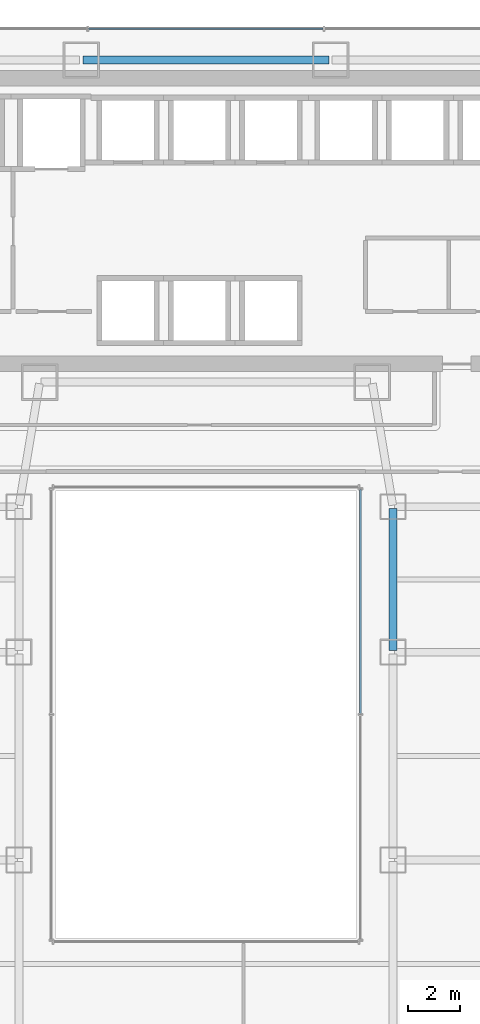
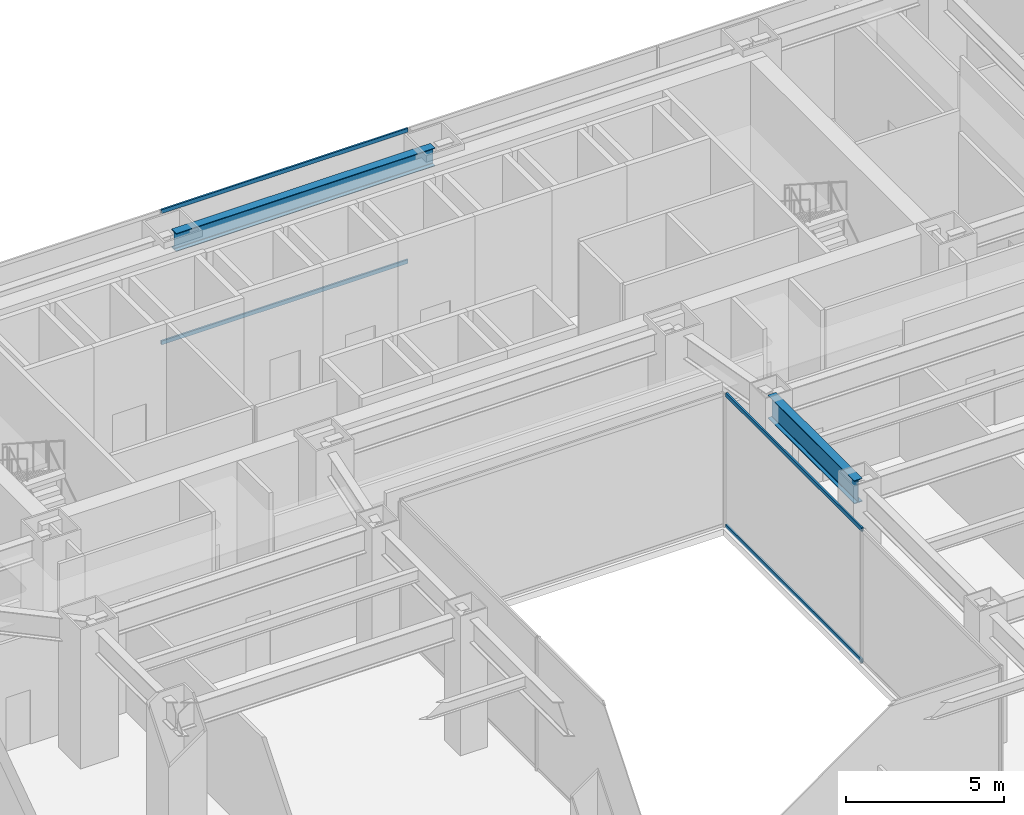
# One storey, part 15 of 29: 4 members, 2 beams, 2 elements without a shape of their own.
"""IFC4 building model written with IfcOpenShell, lengths in metres."""

from ifc_helpers import new_model, si_unit, direction, frame, origin, origin_2d, place, context, subcontext, project, spatial, hollow_rectangle, i_section, extrude, material, material_profile, profile_set, type_object, element, aggregate, save


model = new_model("IFC4")

# Units and contexts
model_context = context("Model", 3, precision=1e-05, world=origin(), true_north=direction((0.0, 1.0)))
body_context = subcontext(model_context, "Body", "Model", "MODEL_VIEW")
ifc_project = project(units=[si_unit("LENGTHUNIT", "METRE"), si_unit("AREAUNIT", "SQUARE_METRE"), si_unit("VOLUMEUNIT", "CUBIC_METRE"), si_unit("PLANEANGLEUNIT", "RADIAN"), si_unit("MASSUNIT", "GRAM", prefix="KILO")], contexts=[model_context])

# Site, building, storey
site_placement = place(None, origin())
site = spatial("IfcSite", under=ifc_project, at=site_placement, CompositionType="ELEMENT")
building_placement = place(site_placement, origin())
building = spatial("IfcBuilding", under=site, at=building_placement, Name="Saevonmaru Cultural Tower", CompositionType="ELEMENT")
storey_placement = place(building_placement, frame((0.0, 0.0, 27.60009765625)))
storey = spatial("IfcBuildingStorey", under=building, at=storey_placement, Name="L05", CompositionType="ELEMENT", Elevation=27.60009765625)

# Beams
ifc_material_1 = material(Name="Steel SM420", Category="steel")
ifc_material_profile_1 = material_profile(ifc_material_1, i_section(OverallWidth=0.300048828125, OverallDepth=0.89990234375, WebThickness=0.01611328125, FlangeThickness=0.028076171875, FilletRadius=0.028076171875, at=origin_2d()), Name="H-900x300x16x28")
ifc_profile_set_1 = profile_set([ifc_material_profile_1], Name="Steel SM420")
beam_type_1 = type_object("IfcBeamType", Name="BM-G-H900", PredefinedType="BEAM", material=ifc_profile_set_1)
beam_1_placement = place(storey_placement, frame((37.199951171875, 32.06005859375, 4.699951171875), z_axis=(0.0, 1.0, 0.0), x_axis=(-1.0, 0.0, 0.0)))
element("IfcBeam", 1, at=beam_1_placement, inside=storey, type_object=beam_type_1, Name="L05 Podium Girder NS3-5", PredefinedType="BEAM", context=body_context, shape_type="SweptSolid", body=[
    extrude(i_section(OverallWidth=0.300048828125, OverallDepth=0.89990234375, WebThickness=0.01611328125, FlangeThickness=0.028076171875, FilletRadius=0.028076171875, at=origin_2d()), origin(), (0.0, 0.0, 1.0), 5.47998046875),
])
ifc_material_2 = material(Name="Steel SM355", Category="steel")
ifc_material_profile_2 = material_profile(ifc_material_2, i_section(OverallWidth=0.300048828125, OverallDepth=0.699951171875, WebThickness=0.012939453125, FlangeThickness=0.02392578125, FilletRadius=0.02587890625, at=origin_2d()), Name="H-700x300x13x24")
ifc_profile_set_2 = profile_set([ifc_material_profile_2], Name="Steel SM355")
beam_type_2 = type_object("IfcBeamType", Name="BM-SP-H700", PredefinedType="SPANDREL", material=ifc_profile_set_2)
beam_2_placement = place(storey_placement, frame((25.260009765625, 54.800048828125, 4.7998046875), z_axis=(1.0, 0.0, 0.0), x_axis=(0.0, 1.0, 0.0)))
element("IfcBeam", 2, at=beam_2_placement, inside=storey, type_object=beam_type_2, Name="L05 North Spine Girder 3", PredefinedType="SPANDREL", context=body_context, shape_type="SweptSolid", body=[
    extrude(i_section(OverallWidth=0.300048828125, OverallDepth=0.699951171875, WebThickness=0.012939453125, FlangeThickness=0.02392578125, FilletRadius=0.02587890625, at=origin_2d()), origin(), (0.0, 0.0, 1.0), 9.47998046875),
])

# Curtain wall, members
ifc_material_3 = material(Name="Satin Bronze Anodised Aluminium", Category="aluminium")
curtain_wall_type_1 = type_object("IfcCurtainWallType", Name="CW-SKY-GLZ", PredefinedType="NOTDEFINED", material=ifc_material_3)
curtain_wall_1_placement = place(storey_placement, origin())
curtain_wall_1 = element("IfcCurtainWall", 3, at=curtain_wall_1_placement, inside=storey, type_object=curtain_wall_type_1, Name="L05 Unitised Curtain Wall E10", PredefinedType="NOTDEFINED")
ifc_material_profile_3 = material_profile(ifc_material_3, hollow_rectangle(XDim=0.06494140625, YDim=0.14990234375, WallThickness=0.00390625, at=origin_2d()), Name="ALU-TRAN-150x65x4")
ifc_profile_set_3 = profile_set([ifc_material_profile_3], Name="Satin Bronze Anodised Aluminium")
member_type_1 = type_object("IfcMemberType", Name="TR-CW-150x65", PredefinedType="USERDEFINED", material=ifc_profile_set_3)
member_1_placement = place(storey_placement, frame((34.515380859375, 56.0, 0.032470703125), z_axis=(-1.0, 0.0, 0.0), x_axis=(0.0, -1.0, 0.0)))
member_1 = element("IfcMember", 4, at=member_1_placement, type_object=member_type_1, Name="CW-TW-L05-E10 transom 3.1", ObjectType="TRANSOM", PredefinedType="USERDEFINED", context=body_context, shape_type="SweptSolid", body=[
    extrude(hollow_rectangle(XDim=0.06494140625, YDim=0.14990234375, WallThickness=0.00390625, at=origin_2d()), origin(), (0.0, 0.0, 1.0), 9.03076171875),
])
member_2_placement = place(storey_placement, frame((34.515380859375, 56.0, 5.117431640625), z_axis=(-1.0, 0.0, 0.0), x_axis=(0.0, -1.0, 0.0)))
member_2 = element("IfcMember", 5, at=member_2_placement, type_object=member_type_1, Name="CW-TW-L05-E10 transom 3.2", ObjectType="TRANSOM", PredefinedType="USERDEFINED", context=body_context, shape_type="SweptSolid", body=[
    extrude(hollow_rectangle(XDim=0.06494140625, YDim=0.14990234375, WallThickness=0.00390625, at=origin_2d()), origin(), (0.0, 0.0, 1.0), 9.03076171875),
])
aggregate(curtain_wall_1, [member_1, member_2])

curtain_wall_type_2 = type_object("IfcCurtainWallType", Name="CW-ATR-GLZ", PredefinedType="NOTDEFINED", material=ifc_material_3)
curtain_wall_2_placement = place(storey_placement, origin())
curtain_wall_2 = element("IfcCurtainWall", 6, at=curtain_wall_2_placement, inside=storey, type_object=curtain_wall_type_2, Name="L05 Vertical Atrium Glazed Smoke Screen 2", PredefinedType="NOTDEFINED")
ifc_material_profile_4 = material_profile(ifc_material_3, hollow_rectangle(XDim=0.06494140625, YDim=0.14990234375, WallThickness=0.00390625, at=origin_2d()), Name="ALU-TRAN-150x65x4")
ifc_profile_set_4 = profile_set([ifc_material_profile_4], Name="Satin Bronze Anodised Aluminium")
member_type_2 = type_object("IfcMemberType", Name="TR-CW-INT-150x65", PredefinedType="USERDEFINED", material=ifc_profile_set_4)
member_3_placement = place(storey_placement, frame((35.949951171875, 29.632568359375, 0.032470703125), z_axis=(0.0, 1.0, 0.0), x_axis=(-1.0, 0.0, 0.0)))
member_3 = element("IfcMember", 7, at=member_3_placement, type_object=member_type_2, Name="CW-ATR-L05-2 transom 2.1", ObjectType="TRANSOM", PredefinedType="USERDEFINED", context=body_context, shape_type="SweptSolid", body=[
    extrude(hollow_rectangle(XDim=0.06494140625, YDim=0.14990234375, WallThickness=0.00390625, at=origin_2d()), origin(), (0.0, 0.0, 1.0), 8.625),
])
member_4_placement = place(storey_placement, frame((35.949951171875, 29.632568359375, 5.117431640625), z_axis=(0.0, 1.0, 0.0), x_axis=(-1.0, 0.0, 0.0)))
member_4 = element("IfcMember", 8, at=member_4_placement, type_object=member_type_2, Name="CW-ATR-L05-2 transom 2.2", ObjectType="TRANSOM", PredefinedType="USERDEFINED", context=body_context, shape_type="SweptSolid", body=[
    extrude(hollow_rectangle(XDim=0.06494140625, YDim=0.14990234375, WallThickness=0.00390625, at=origin_2d()), origin(), (0.0, 0.0, 1.0), 8.625),
])
aggregate(curtain_wall_2, [member_3, member_4])

save(model, "model.ifc")
